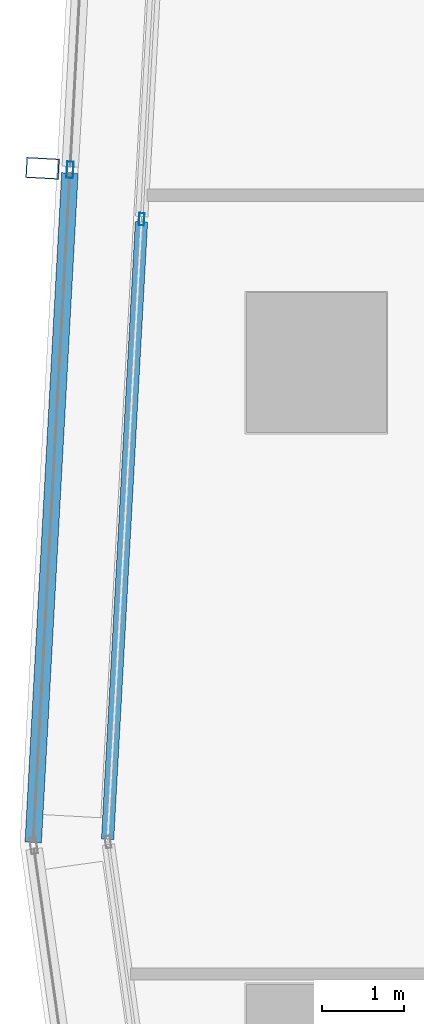
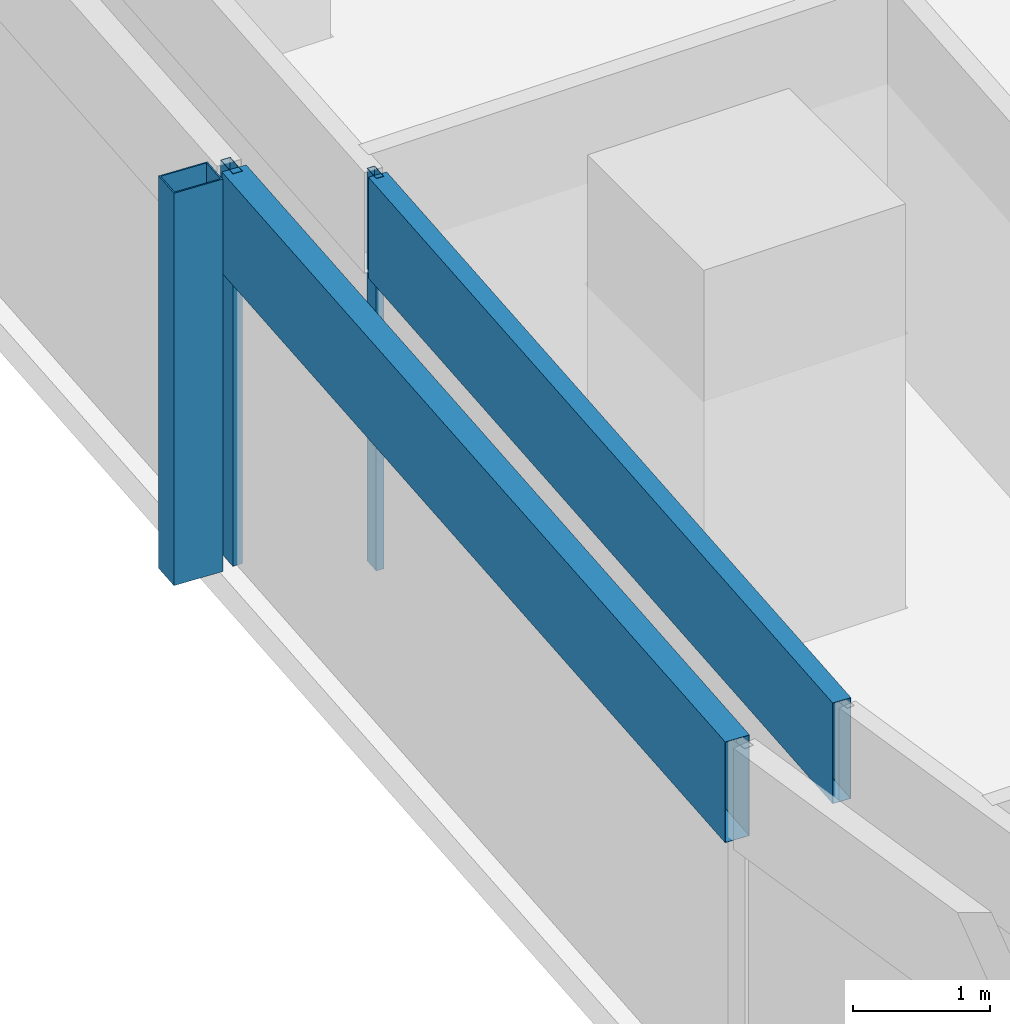
# One storey, part 7 of 40: 5 members, 2 elements without a shape of their own.
"""IFC4 building model written with IfcOpenShell, lengths in metres."""

from ifc_helpers import new_model, si_unit, direction, frame, origin, origin_2d, place, context, subcontext, project, spatial, hollow_rectangle, extrude, material, material_profile, profile_set, type_object, element, aggregate, save


model = new_model("IFC4")

# Units and contexts
model_context = context("Model", 3, precision=1e-05, world=origin(), true_north=direction((0.0, 1.0)))
body_context = subcontext(model_context, "Body", "Model", "MODEL_VIEW")
ifc_project = project(units=[si_unit("LENGTHUNIT", "METRE"), si_unit("AREAUNIT", "SQUARE_METRE"), si_unit("VOLUMEUNIT", "CUBIC_METRE"), si_unit("PLANEANGLEUNIT", "RADIAN"), si_unit("MASSUNIT", "GRAM", prefix="KILO")], contexts=[model_context])

# Site, building, storey
site_placement = place(None, origin())
site = spatial("IfcSite", under=ifc_project, at=site_placement, CompositionType="ELEMENT")
building_placement = place(site_placement, origin())
building = spatial("IfcBuilding", under=site, at=building_placement, Name="Rekha Terrace Tower", CompositionType="ELEMENT")
storey_placement = place(building_placement, frame((0.0, 0.0, 102.800048828125)))
storey = spatial("IfcBuildingStorey", under=building, at=storey_placement, Name="L25", CompositionType="ELEMENT", Elevation=102.800048828125)

# Curtain wall, member
ifc_material_1 = material(Name="Aluminium framing", Category="aluminium")
curtain_wall_type_1 = type_object("IfcCurtainWallType", Name="CW2 double skin outer glazing", PredefinedType="USERDEFINED", material=ifc_material_1)
curtain_wall_1_placement = place(storey_placement, origin())
curtain_wall_1 = element("IfcCurtainWall", 1, at=curtain_wall_1_placement, inside=storey, type_object=curtain_wall_type_1, Name="CW2 double skin outer glazing", ObjectType="DOUBLE SKIN OUTER GLAZING", PredefinedType="USERDEFINED")
ifc_material_2 = material(Name="Steel S355 with fluorocarbon finish", Category="steel")
ifc_material_profile_1 = material_profile(ifc_material_2, hollow_rectangle(XDim=0.25, YDim=0.39990234375, WallThickness=0.012451171875, at=origin_2d()), Name="RHS400x250x12.5")
ifc_profile_set_1 = profile_set([ifc_material_profile_1], Name="Steel S355 with fluorocarbon finish")
member_type_1 = type_object("IfcMemberType", Name="BL1 facade blade RHS 400 x 250", PredefinedType="USERDEFINED", material=ifc_profile_set_1)
member_1_placement = place(storey_placement, frame((5.073974609375, 35.9609375, 0.0), z_axis=(0.0, 0.0, 1.0), x_axis=(-0.054742798353, -0.998500488747, 0.0)))
member_1 = element("IfcMember", 2, at=member_1_placement, type_object=member_type_1, Name="Facade blade", ObjectType="FACADE BLADE", PredefinedType="USERDEFINED", context=body_context, shape_type="SweptSolid", body=[
    extrude(hollow_rectangle(XDim=0.25, YDim=0.39990234375, WallThickness=0.012451171875, at=origin_2d()), origin(), (0.0, 0.0, 1.0), 3.5),
])

# Curtain wall, members
curtain_wall_type_2 = type_object("IfcCurtainWallType", Name="CW1 double skin inner glazing", PredefinedType="USERDEFINED", material=ifc_material_1)
curtain_wall_2_placement = place(storey_placement, origin())
curtain_wall_2 = element("IfcCurtainWall", 3, at=curtain_wall_2_placement, inside=storey, type_object=curtain_wall_type_2, Name="CW1 double skin inner glazing", ObjectType="DOUBLE SKIN INNER GLAZING", PredefinedType="USERDEFINED")
ifc_material_3 = material(Name="Aluminium mullion section", Category="aluminium")
ifc_material_profile_2 = material_profile(ifc_material_3, hollow_rectangle(XDim=0.06494140625, YDim=0.14990234375, WallThickness=0.00390625, at=origin_2d()), Name="AL RHS 65x150")
ifc_profile_set_2 = profile_set([ifc_material_profile_2], Name="Aluminium mullion section")
member_type_2 = type_object("IfcMemberType", Name="CW1 mullion RHS 65 x 150", PredefinedType="MULLION", material=ifc_profile_set_2)
member_2_placement = place(storey_placement, frame((6.27685546875, 35.343017578125, 0.0), z_axis=(0.0, 0.0, 1.0), x_axis=(0.99850051318, -0.054742352707, 0.0)))
member_2 = element("IfcMember", 4, at=member_2_placement, type_object=member_type_2, Name="CW1 mullion 4", PredefinedType="MULLION", context=body_context, shape_type="SweptSolid", body=[
    extrude(hollow_rectangle(XDim=0.06494140625, YDim=0.14990234375, WallThickness=0.00390625, at=origin_2d()), origin(), (0.0, 0.0, 1.0), 3.5),
])
ifc_material_4 = material(Name="Insulated aluminium spandrel box", Category="aluminium")
ifc_material_profile_3 = material_profile(ifc_material_4, hollow_rectangle(XDim=0.14990234375, YDim=0.89990234375, WallThickness=0.0029296875, at=origin_2d()), Name="AL SPANDREL BOX 150x900")
ifc_profile_set_3 = profile_set([ifc_material_profile_3], Name="Insulated aluminium spandrel box")
member_type_3 = type_object("IfcMemberType", Name="CW1 spandrel transom 150 x 900", PredefinedType="USERDEFINED", material=ifc_profile_set_3)
member_3_placement = place(storey_placement, frame((6.275146484375, 35.310546875, 3.050048828125), z_axis=(-0.054756855706, -0.998499717953, 0.0), x_axis=(0.998499717953, -0.054756855706, 0.0)))
member_3 = element("IfcMember", 5, at=member_3_placement, type_object=member_type_3, Name="CW1 spandrel transom 4", ObjectType="TRANSOM", PredefinedType="USERDEFINED", context=body_context, shape_type="SweptSolid", body=[
    extrude(hollow_rectangle(XDim=0.14990234375, YDim=0.89990234375, WallThickness=0.0029296875, at=origin_2d()), origin(), (0.0, 0.0, 1.0), 7.50830078125),
])
aggregate(curtain_wall_2, [member_2, member_3])

# Member
ifc_material_profile_4 = material_profile(ifc_material_3, hollow_rectangle(XDim=0.080078125, YDim=0.199951171875, WallThickness=0.00390625, at=origin_2d()), Name="AL RHS 80x200")
ifc_profile_set_4 = profile_set([ifc_material_profile_4], Name="Aluminium mullion section")
member_type_4 = type_object("IfcMemberType", Name="CW2 mullion RHS 80 x 200", PredefinedType="MULLION", material=ifc_profile_set_4)
member_4_placement = place(storey_placement, frame((5.408447265625, 35.942626953125, 0.0), z_axis=(0.0, 0.0, 1.0), x_axis=(0.99850051318, -0.054742352707, 0.0)))
member_4 = element("IfcMember", 6, at=member_4_placement, type_object=member_type_4, Name="CW2 mullion 4", PredefinedType="MULLION", context=body_context, shape_type="SweptSolid", body=[
    extrude(hollow_rectangle(XDim=0.080078125, YDim=0.199951171875, WallThickness=0.00390625, at=origin_2d()), origin(), (0.0, 0.0, 1.0), 3.5),
])

ifc_material_profile_5 = material_profile(ifc_material_4, hollow_rectangle(XDim=0.199951171875, YDim=0.89990234375, WallThickness=0.0029296875, at=origin_2d()), Name="AL SPANDREL BOX 200x900")
ifc_profile_set_5 = profile_set([ifc_material_profile_5], Name="Insulated aluminium spandrel box")
member_type_5 = type_object("IfcMemberType", Name="CW2 spandrel transom 200 x 900", PredefinedType="USERDEFINED", material=ifc_profile_set_5)
member_5_placement = place(storey_placement, frame((5.40625, 35.902587890625, 3.050048828125), z_axis=(-0.054737434401, -0.998500782812, 0.0), x_axis=(0.998500782812, -0.054737434401, 0.0)))
member_5 = element("IfcMember", 7, at=member_5_placement, type_object=member_type_5, Name="CW2 spandrel transom 4", ObjectType="TRANSOM", PredefinedType="USERDEFINED", context=body_context, shape_type="SweptSolid", body=[
    extrude(hollow_rectangle(XDim=0.199951171875, YDim=0.89990234375, WallThickness=0.0029296875, at=origin_2d()), origin(), (0.0, 0.0, 1.0), 8.139892578125),
])

aggregate(curtain_wall_1, [member_4, member_5, member_1])

save(model, "model.ifc")
